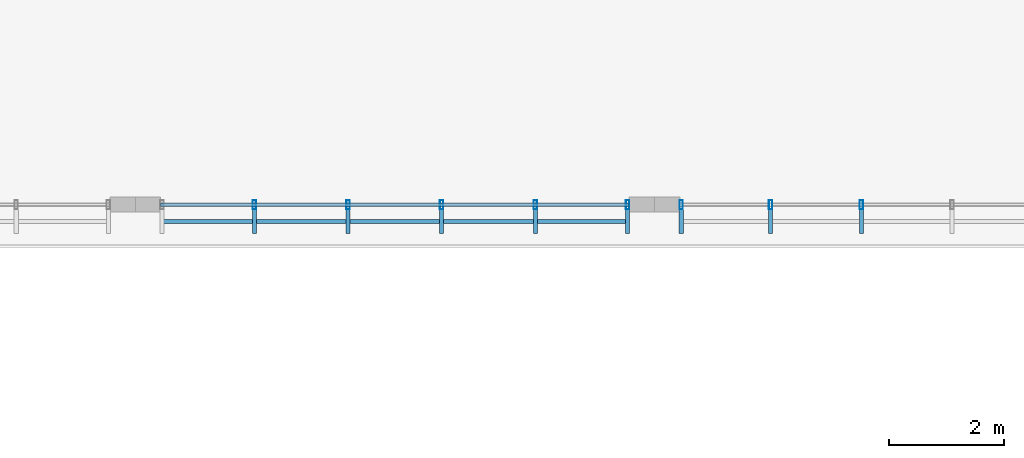
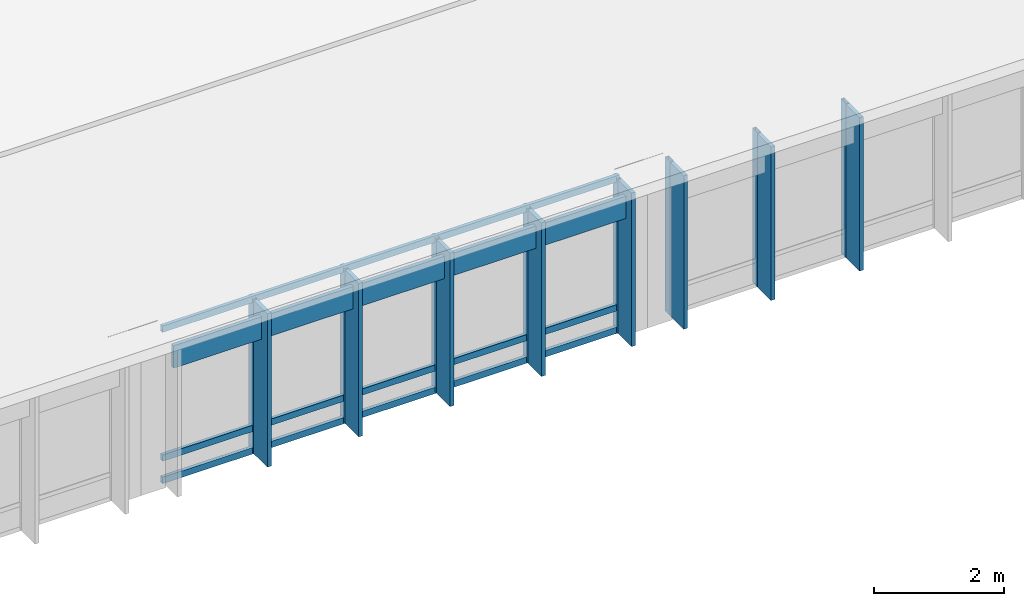
# One storey, part 54 of 182: 20 members, 2 elements without a shape of their own.
"""IFC4 building model written with IfcOpenShell, lengths in metres."""

from ifc_helpers import new_model, si_unit, direction, frame, origin, origin_2d, place, context, subcontext, project, spatial, rectangle, hollow_rectangle, extrude, material, material_profile, profile_set, type_object, element, aggregate, save


model = new_model("IFC4")

# Units and contexts
model_context = context("Model", 3, precision=1e-05, world=origin(), true_north=direction((0.0, 1.0)))
body_context = subcontext(model_context, "Body", "Model", "MODEL_VIEW")
ifc_project = project(units=[si_unit("LENGTHUNIT", "METRE"), si_unit("AREAUNIT", "SQUARE_METRE"), si_unit("VOLUMEUNIT", "CUBIC_METRE"), si_unit("PLANEANGLEUNIT", "RADIAN"), si_unit("MASSUNIT", "GRAM", prefix="KILO")], contexts=[model_context])

# Site, building, storey
site_placement = place(None, origin())
site = spatial("IfcSite", under=ifc_project, at=site_placement, CompositionType="ELEMENT")
building_placement = place(site_placement, origin())
building = spatial("IfcBuilding", under=site, at=building_placement, Name="Chiffa Square Polytechnic", CompositionType="ELEMENT")
storey_placement = place(building_placement, frame((0.0, 0.0, 9.60009765625)))
storey = spatial("IfcBuildingStorey", under=building, at=storey_placement, Name="L02", CompositionType="ELEMENT", Elevation=9.60009765625)

# Curtain wall, members
ifc_material_1 = material(Name="Aluminium EN AW-6060 T66 and glulam shading", Category="wood")
curtain_wall_type_1 = type_object("IfcCurtainWallType", Name="CW-VERT-480X380", PredefinedType="USERDEFINED", material=ifc_material_1)
curtain_wall_1_placement = place(storey_placement, origin())
curtain_wall_1 = element("IfcCurtainWall", 1, at=curtain_wall_1_placement, inside=storey, type_object=curtain_wall_type_1, Name="Curtain wall CW-V4-CLRS-06", ObjectType="CURTAIN WALL", PredefinedType="USERDEFINED")
ifc_material_2 = material(Name="Aluminium EN AW-6060 T66", Category="aluminium")
ifc_material_profile_1 = material_profile(ifc_material_2, hollow_rectangle(XDim=0.06005859375, YDim=0.159912109375, WallThickness=0.00390625, at=origin_2d()), Name="ALU 60x160x4")
ifc_profile_set_1 = profile_set([ifc_material_profile_1], Name="Aluminium EN AW-6060 T66")
member_type_1 = type_object("IfcMemberType", Name="CWM-ALU-65X150", PredefinedType="MULLION", material=ifc_profile_set_1)
member_1_placement = place(storey_placement, frame((95.6640625, 21.60009765625, 0.039794921875), z_axis=(0.0, 0.0, 1.0), x_axis=(1.0, 0.0, 0.0)))
member_1 = element("IfcMember", 2, at=member_1_placement, type_object=member_type_1, Name="Curtain wall mullion CW-V4-CLRS-06-M01", PredefinedType="MULLION", context=body_context, shape_type="SweptSolid", body=[
    extrude(hollow_rectangle(XDim=0.06005859375, YDim=0.159912109375, WallThickness=0.00390625, at=origin_2d()), origin(), (0.0, 0.0, 1.0), 2.902099609375),
])
member_2_placement = place(storey_placement, frame((97.2880859375, 21.60009765625, 0.039794921875), z_axis=(0.0, 0.0, 1.0), x_axis=(1.0, 0.0, 0.0)))
member_2 = element("IfcMember", 3, at=member_2_placement, type_object=member_type_1, Name="Curtain wall mullion CW-V4-CLRS-06-M02", PredefinedType="MULLION", context=body_context, shape_type="SweptSolid", body=[
    extrude(hollow_rectangle(XDim=0.06005859375, YDim=0.159912109375, WallThickness=0.00390625, at=origin_2d()), origin(), (0.0, 0.0, 1.0), 2.902099609375),
])
member_3_placement = place(storey_placement, frame((98.912109375, 21.60009765625, 0.039794921875), z_axis=(0.0, 0.0, 1.0), x_axis=(1.0, 0.0, 0.0)))
member_3 = element("IfcMember", 4, at=member_3_placement, type_object=member_type_1, Name="Curtain wall mullion CW-V4-CLRS-06-M03", PredefinedType="MULLION", context=body_context, shape_type="SweptSolid", body=[
    extrude(hollow_rectangle(XDim=0.06005859375, YDim=0.159912109375, WallThickness=0.00390625, at=origin_2d()), origin(), (0.0, 0.0, 1.0), 2.902099609375),
])
member_4_placement = place(storey_placement, frame((100.535888671875, 21.60009765625, 0.039794921875), z_axis=(0.0, 0.0, 1.0), x_axis=(1.0, 0.0, 0.0)))
member_4 = element("IfcMember", 5, at=member_4_placement, type_object=member_type_1, Name="Curtain wall mullion CW-V4-CLRS-06-M04", PredefinedType="MULLION", context=body_context, shape_type="SweptSolid", body=[
    extrude(hollow_rectangle(XDim=0.06005859375, YDim=0.159912109375, WallThickness=0.00390625, at=origin_2d()), origin(), (0.0, 0.0, 1.0), 2.902099609375),
])
member_5_placement = place(storey_placement, frame((102.135009765625, 21.60009765625, 0.039794921875), z_axis=(0.0, 0.0, 1.0), x_axis=(1.0, 0.0, 0.0)))
member_5 = element("IfcMember", 6, at=member_5_placement, type_object=member_type_1, Name="Curtain wall mullion CW-V4-CLRS-06-M05", PredefinedType="MULLION", context=body_context, shape_type="SweptSolid", body=[
    extrude(hollow_rectangle(XDim=0.06005859375, YDim=0.159912109375, WallThickness=0.00390625, at=origin_2d()), origin(), (0.0, 0.0, 1.0), 2.902099609375),
])

curtain_wall_type_2 = type_object("IfcCurtainWallType", Name="CW-VERT-540X440", PredefinedType="USERDEFINED", material=ifc_material_1)
curtain_wall_2_placement = place(storey_placement, origin())
curtain_wall_2 = element("IfcCurtainWall", 7, at=curtain_wall_2_placement, inside=storey, type_object=curtain_wall_type_2, Name="Curtain wall CW-V4-CLRS-07", ObjectType="CURTAIN WALL", PredefinedType="USERDEFINED")
member_6_placement = place(storey_placement, frame((103.06494140625, 21.60009765625, 0.039794921875), z_axis=(0.0, 0.0, 1.0), x_axis=(1.0, 0.0, 0.0)))
member_6 = element("IfcMember", 8, at=member_6_placement, type_object=member_type_1, Name="Curtain wall mullion CW-V4-CLRS-07-M00", PredefinedType="MULLION", context=body_context, shape_type="SweptSolid", body=[
    extrude(hollow_rectangle(XDim=0.06005859375, YDim=0.159912109375, WallThickness=0.00390625, at=origin_2d()), origin(), (0.0, 0.0, 1.0), 2.902099609375),
])
member_7_placement = place(storey_placement, frame((104.614013671875, 21.60009765625, 0.039794921875), z_axis=(0.0, 0.0, 1.0), x_axis=(1.0, 0.0, 0.0)))
member_7 = element("IfcMember", 9, at=member_7_placement, type_object=member_type_1, Name="Curtain wall mullion CW-V4-CLRS-07-M01", PredefinedType="MULLION", context=body_context, shape_type="SweptSolid", body=[
    extrude(hollow_rectangle(XDim=0.06005859375, YDim=0.159912109375, WallThickness=0.00390625, at=origin_2d()), origin(), (0.0, 0.0, 1.0), 2.902099609375),
])
member_8_placement = place(storey_placement, frame((106.18798828125, 21.60009765625, 0.039794921875), z_axis=(0.0, 0.0, 1.0), x_axis=(1.0, 0.0, 0.0)))
member_8 = element("IfcMember", 10, at=member_8_placement, type_object=member_type_1, Name="Curtain wall mullion CW-V4-CLRS-07-M02", PredefinedType="MULLION", context=body_context, shape_type="SweptSolid", body=[
    extrude(hollow_rectangle(XDim=0.06005859375, YDim=0.159912109375, WallThickness=0.00390625, at=origin_2d()), origin(), (0.0, 0.0, 1.0), 2.902099609375),
])

# Member
ifc_material_3 = material(Name="Glulam GL28h", Category="wood")
ifc_material_profile_2 = material_profile(ifc_material_3, rectangle(XDim=0.070068359375, YDim=0.419921875, at=origin_2d()), Name="GL28h 70x420")
ifc_profile_set_2 = profile_set([ifc_material_profile_2], Name="Glulam GL28h")
member_type_2 = type_object("IfcMemberType", Name="CWM-GL-70X420", PredefinedType="MULLION", material=ifc_profile_set_2)
member_9_placement = place(storey_placement, frame((95.6640625, 21.30810546875, 0.0498046875), z_axis=(0.0, 0.0, 1.0), x_axis=(1.0, 0.0, 0.0)))
member_9 = element("IfcMember", 11, at=member_9_placement, type_object=member_type_2, Name="Exterior glulam solar fin CW-V4-CLRS-06-FN01", PredefinedType="MULLION", context=body_context, shape_type="SweptSolid", body=[
    extrude(rectangle(XDim=0.070068359375, YDim=0.419921875, at=origin_2d()), origin(), (0.0, 0.0, 1.0), 2.882080078125),
])

member_10_placement = place(storey_placement, frame((97.2880859375, 21.30810546875, 0.0498046875), z_axis=(0.0, 0.0, 1.0), x_axis=(1.0, 0.0, 0.0)))
member_10 = element("IfcMember", 12, at=member_10_placement, type_object=member_type_2, Name="Exterior glulam solar fin CW-V4-CLRS-06-FN02", PredefinedType="MULLION", context=body_context, shape_type="SweptSolid", body=[
    extrude(rectangle(XDim=0.070068359375, YDim=0.419921875, at=origin_2d()), origin(), (0.0, 0.0, 1.0), 2.882080078125),
])

member_11_placement = place(storey_placement, frame((98.912109375, 21.30810546875, 0.0498046875), z_axis=(0.0, 0.0, 1.0), x_axis=(1.0, 0.0, 0.0)))
member_11 = element("IfcMember", 13, at=member_11_placement, type_object=member_type_2, Name="Exterior glulam solar fin CW-V4-CLRS-06-FN03", PredefinedType="MULLION", context=body_context, shape_type="SweptSolid", body=[
    extrude(rectangle(XDim=0.070068359375, YDim=0.419921875, at=origin_2d()), origin(), (0.0, 0.0, 1.0), 2.882080078125),
])

member_12_placement = place(storey_placement, frame((100.535888671875, 21.30810546875, 0.0498046875), z_axis=(0.0, 0.0, 1.0), x_axis=(1.0, 0.0, 0.0)))
member_12 = element("IfcMember", 14, at=member_12_placement, type_object=member_type_2, Name="Exterior glulam solar fin CW-V4-CLRS-06-FN04", PredefinedType="MULLION", context=body_context, shape_type="SweptSolid", body=[
    extrude(rectangle(XDim=0.070068359375, YDim=0.419921875, at=origin_2d()), origin(), (0.0, 0.0, 1.0), 2.882080078125),
])

member_13_placement = place(storey_placement, frame((102.135009765625, 21.30810546875, 0.0498046875), z_axis=(0.0, 0.0, 1.0), x_axis=(1.0, 0.0, 0.0)))
member_13 = element("IfcMember", 15, at=member_13_placement, type_object=member_type_2, Name="Exterior glulam solar fin CW-V4-CLRS-06-FN05", PredefinedType="MULLION", context=body_context, shape_type="SweptSolid", body=[
    extrude(rectangle(XDim=0.070068359375, YDim=0.419921875, at=origin_2d()), origin(), (0.0, 0.0, 1.0), 2.882080078125),
])

member_14_placement = place(storey_placement, frame((103.06494140625, 21.30810546875, 0.0498046875), z_axis=(0.0, 0.0, 1.0), x_axis=(1.0, 0.0, 0.0)))
member_14 = element("IfcMember", 16, at=member_14_placement, type_object=member_type_2, Name="Exterior glulam solar fin CW-V4-CLRS-07-FN00", PredefinedType="MULLION", context=body_context, shape_type="SweptSolid", body=[
    extrude(rectangle(XDim=0.070068359375, YDim=0.419921875, at=origin_2d()), origin(), (0.0, 0.0, 1.0), 2.882080078125),
])

member_15_placement = place(storey_placement, frame((104.614013671875, 21.30810546875, 0.0498046875), z_axis=(0.0, 0.0, 1.0), x_axis=(1.0, 0.0, 0.0)))
member_15 = element("IfcMember", 17, at=member_15_placement, type_object=member_type_2, Name="Exterior glulam solar fin CW-V4-CLRS-07-FN01", PredefinedType="MULLION", context=body_context, shape_type="SweptSolid", body=[
    extrude(rectangle(XDim=0.070068359375, YDim=0.419921875, at=origin_2d()), origin(), (0.0, 0.0, 1.0), 2.882080078125),
])

member_16_placement = place(storey_placement, frame((106.18798828125, 21.30810546875, 0.0498046875), z_axis=(0.0, 0.0, 1.0), x_axis=(1.0, 0.0, 0.0)))
member_16 = element("IfcMember", 18, at=member_16_placement, type_object=member_type_2, Name="Exterior glulam solar fin CW-V4-CLRS-07-FN02", PredefinedType="MULLION", context=body_context, shape_type="SweptSolid", body=[
    extrude(rectangle(XDim=0.070068359375, YDim=0.419921875, at=origin_2d()), origin(), (0.0, 0.0, 1.0), 2.882080078125),
])

aggregate(curtain_wall_2, [member_6, member_14, member_7, member_15, member_8, member_16])

ifc_material_profile_3 = material_profile(ifc_material_2, hollow_rectangle(XDim=0.06005859375, YDim=0.1201171875, WallThickness=0.00390625, at=origin_2d()), Name="ALU 60x120x4")
ifc_profile_set_3 = profile_set([ifc_material_profile_3], Name="Aluminium EN AW-6060 T66")
member_type_3 = type_object("IfcMemberType", Name="CWT-ALU-65X120", PredefinedType="USERDEFINED", material=ifc_profile_set_3)
member_17_placement = place(storey_placement, frame((94.0380859375, 21.60009765625, 0.06982421875), z_axis=(1.0, 0.0, 0.0), x_axis=(0.0, 1.0, 0.0)))
member_17 = element("IfcMember", 19, at=member_17_placement, type_object=member_type_3, Name="Curtain wall transom CW-V4-CLRS-06-T01", ObjectType="TRANSOM", PredefinedType="USERDEFINED", context=body_context, shape_type="SweptSolid", body=[
    extrude(hollow_rectangle(XDim=0.06005859375, YDim=0.1201171875, WallThickness=0.00390625, at=origin_2d()), origin(), (0.0, 0.0, 1.0), 8.1240234375),
])

member_18_placement = place(storey_placement, frame((94.0380859375, 21.60009765625, 0.489990234375), z_axis=(1.0, 0.0, 0.0), x_axis=(0.0, 1.0, 0.0)))
member_18 = element("IfcMember", 20, at=member_18_placement, type_object=member_type_3, Name="Curtain wall transom CW-V4-CLRS-06-T02", ObjectType="TRANSOM", PredefinedType="USERDEFINED", context=body_context, shape_type="SweptSolid", body=[
    extrude(hollow_rectangle(XDim=0.06005859375, YDim=0.1201171875, WallThickness=0.00390625, at=origin_2d()), origin(), (0.0, 0.0, 1.0), 8.1240234375),
])

member_19_placement = place(storey_placement, frame((94.0380859375, 21.60009765625, 2.911865234375), z_axis=(1.0, 0.0, 0.0), x_axis=(0.0, 1.0, 0.0)))
member_19 = element("IfcMember", 21, at=member_19_placement, type_object=member_type_3, Name="Curtain wall transom CW-V4-CLRS-06-T03", ObjectType="TRANSOM", PredefinedType="USERDEFINED", context=body_context, shape_type="SweptSolid", body=[
    extrude(hollow_rectangle(XDim=0.06005859375, YDim=0.1201171875, WallThickness=0.00390625, at=origin_2d()), origin(), (0.0, 0.0, 1.0), 8.1240234375),
])

ifc_material_profile_4 = material_profile(ifc_material_3, rectangle(XDim=0.070068359375, YDim=0.419921875, at=origin_2d()), Name="GL28h 70x420")
ifc_profile_set_4 = profile_set([ifc_material_profile_4], Name="Glulam GL28h")
member_type_4 = type_object("IfcMemberType", Name="CWT-GL-70X420", PredefinedType="USERDEFINED", material=ifc_profile_set_4)
member_20_placement = place(storey_placement, frame((94.06494140625, 21.30810546875, 2.56201171875), z_axis=(1.0, 0.0, 0.0), x_axis=(0.0, 1.0, 0.0)))
member_20 = element("IfcMember", 22, at=member_20_placement, type_object=member_type_4, Name="Exterior glulam brise-soleil CW-V4-CLRS-06-BS01", ObjectType="TRANSOM", PredefinedType="USERDEFINED", context=body_context, shape_type="SweptSolid", body=[
    extrude(rectangle(XDim=0.070068359375, YDim=0.419921875, at=origin_2d()), origin(), (0.0, 0.0, 1.0), 8.070068359375),
])

aggregate(curtain_wall_1, [member_1, member_9, member_2, member_10, member_3, member_11, member_4, member_12, member_5, member_13, member_17, member_18, member_19, member_20])

save(model, "model.ifc")
